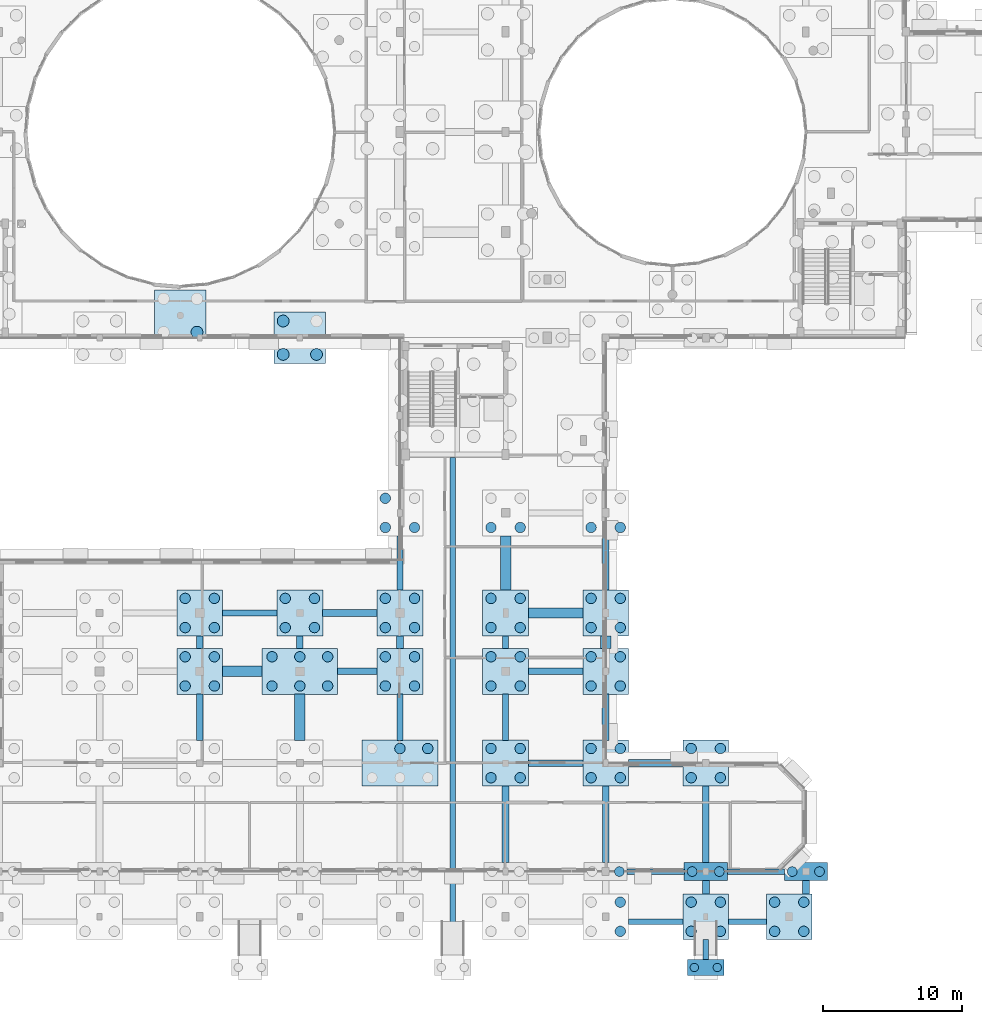
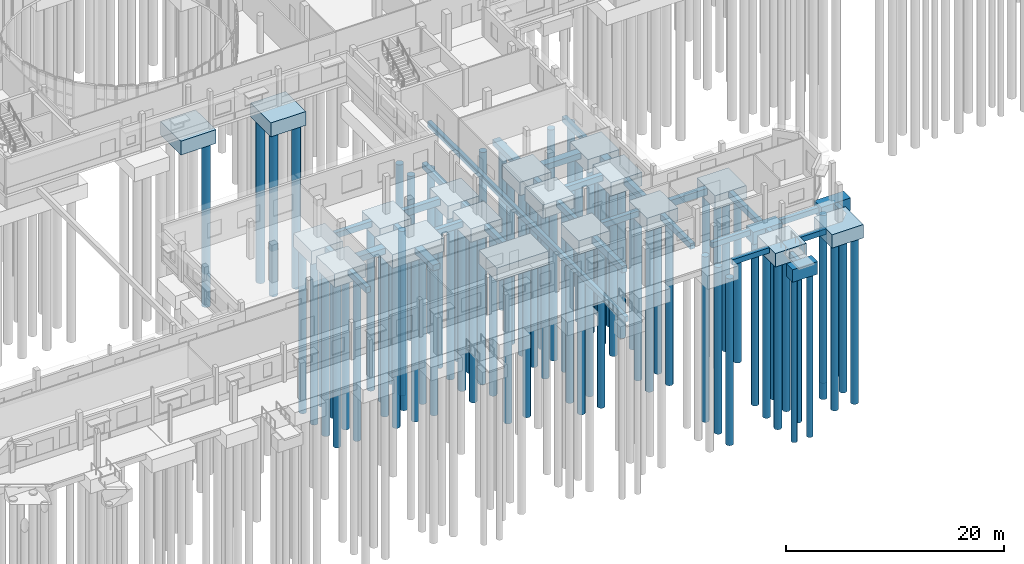
# One storey, part 4 of 93: 84 piles, 53 footings.
"""IFC4 building model written with IfcOpenShell, lengths in metres."""

from ifc_helpers import new_model, si_unit, direction, frame, origin, origin_2d, place, context, subcontext, project, spatial, rectangle, circle, extrude, material, material_profile, profile_set, type_object, element, save


model = new_model("IFC4")

# Units and contexts
model_context = context("Model", 3, precision=1e-05, world=origin(), true_north=direction((0.0, 1.0)))
body_context = subcontext(model_context, "Body", "Model", "MODEL_VIEW")
ifc_project = project(units=[si_unit("LENGTHUNIT", "METRE"), si_unit("AREAUNIT", "SQUARE_METRE"), si_unit("VOLUMEUNIT", "CUBIC_METRE"), si_unit("PLANEANGLEUNIT", "RADIAN"), si_unit("MASSUNIT", "GRAM", prefix="KILO")], contexts=[model_context])

# Site, building, storey
site_placement = place(None, origin())
site = spatial("IfcSite", under=ifc_project, at=site_placement, CompositionType="ELEMENT")
building_placement = place(site_placement, origin())
building = spatial("IfcBuilding", under=site, at=building_placement, Name="Kelanivale Promenade Academy", CompositionType="ELEMENT")
storey_placement = place(building_placement, origin())
storey = spatial("IfcBuildingStorey", under=building, at=storey_placement, Name="L00", CompositionType="ELEMENT", Elevation=0.0)

# Piles
ifc_material = material(Name="Concrete C35/45", Category="concrete")
ifc_material_profile_1 = material_profile(ifc_material, circle(Radius=0.300048828125, at=origin_2d()), Name="BORED PILE D600")
ifc_profile_set_1 = profile_set([ifc_material_profile_1], Name="Concrete C35/45")
pile_type_1 = type_object("IfcPileType", Name="BP-1 BORED PILE D600", PredefinedType="BORED", material=ifc_profile_set_1)
for number, where, z_axis, x_axis, name in (
    (1, (100.375, -3.300048828125, -1.625), (0.0, 0.0, -1.0), (1.0, 0.0, 0.0), "Bored pile FC-RMP-06-BP1-P01"),
    (2, (102.02490234375, -3.300048828125, -1.625), (0.0, 0.0, -1.0), (1.0, 0.0, 0.0), "Bored pile FC-RMP-06-BP1-P02"),
):
    element("IfcPile", number, at=place(storey_placement, frame(where, z_axis=z_axis, x_axis=x_axis)), inside=storey, type_object=pile_type_1, Name=name, PredefinedType="BORED", context=body_context, shape_type="SweptSolid", body=[
        extrude(circle(Radius=0.300048828125, at=origin_2d()), origin(), (0.0, 0.0, 1.0), 18.375),
    ])
ifc_material_profile_2 = material_profile(ifc_material, circle(Radius=0.35009765625, at=origin_2d()), Name="BORED PILE D700")
ifc_profile_set_2 = profile_set([ifc_material_profile_2], Name="Concrete C35/45")
pile_type_2 = type_object("IfcPileType", Name="BP-2 BORED PILE D700", PredefinedType="BORED", material=ifc_profile_set_2)
for number, where, z_axis, x_axis, name in (
    (3, (94.97998046875, 3.60009765625, -1.5), (0.0, 0.0, -1.0), (1.0, 0.0, 0.0), "Bored pile FC-112-BP2-P02"),
    (4, (100.219970703125, 3.60009765625, -1.5), (0.0, 0.0, -1.0), (1.0, 0.0, 0.0), "Bored pile FC-123-BP2-P01"),
    (5, (102.179931640625, 3.60009765625, -1.5), (0.0, 0.0, -1.0), (1.0, 0.0, 0.0), "Bored pile FC-123-BP2-P02"),
):
    element("IfcPile", number, at=place(storey_placement, frame(where, z_axis=z_axis, x_axis=x_axis)), inside=storey, type_object=pile_type_2, Name=name, PredefinedType="BORED", context=body_context, shape_type="SweptSolid", body=[
        extrude(circle(Radius=0.35009765625, at=origin_2d()), origin(), (0.0, 0.0, 1.0), 18.5),
    ])
for number, where, z_axis, x_axis, name in (
    (6, (107.419921875, 3.60009765625, -1.25), (0.0, 0.0, -1.0), (1.0, 0.0, 0.0), "Bored pile FC-129-BP2-P01"),
    (7, (109.3798828125, 3.60009765625, -1.25), (0.0, 0.0, -1.0), (1.0, 0.0, 0.0), "Bored pile FC-129-BP2-P02"),
):
    element("IfcPile", number, at=place(storey_placement, frame(where, z_axis=z_axis, x_axis=x_axis)), inside=storey, type_object=pile_type_2, Name=name, PredefinedType="BORED", context=body_context, shape_type="SweptSolid", body=[
        extrude(circle(Radius=0.35009765625, at=origin_2d()), origin(), (0.0, 0.0, 1.0), 18.75),
    ])
ifc_material_profile_3 = material_profile(ifc_material, circle(Radius=0.375, at=origin_2d()), Name="BORED PILE D750")
ifc_profile_set_3 = profile_set([ifc_material_profile_3], Name="Concrete C35/45")
pile_type_3 = type_object("IfcPileType", Name="BP-3 BORED PILE D750", PredefinedType="BORED", material=ifc_profile_set_3)
for number, where, z_axis, x_axis, name in (
    (8, (63.75, 16.949951171875, -1.60009765625), (0.0, 0.0, -1.0), (1.0, 0.0, 0.0), "Bored pile FC-074-BP3-P01"),
    (9, (63.75, 19.050048828125, -1.60009765625), (0.0, 0.0, -1.0), (1.0, 0.0, 0.0), "Bored pile FC-074-BP3-P02"),
    (10, (65.85009765625, 16.949951171875, -1.60009765625), (0.0, 0.0, -1.0), (1.0, 0.0, 0.0), "Bored pile FC-074-BP3-P03"),
    (11, (65.85009765625, 19.050048828125, -1.60009765625), (0.0, 0.0, -1.0), (1.0, 0.0, 0.0), "Bored pile FC-074-BP3-P04"),
    (12, (63.75, 21.14990234375, -1.60009765625), (0.0, 0.0, -1.0), (1.0, 0.0, 0.0), "Bored pile FC-075-BP3-P01"),
    (13, (63.75, 23.25, -1.60009765625), (0.0, 0.0, -1.0), (1.0, 0.0, 0.0), "Bored pile FC-075-BP3-P02"),
    (14, (65.85009765625, 21.14990234375, -1.60009765625), (0.0, 0.0, -1.0), (1.0, 0.0, 0.0), "Bored pile FC-075-BP3-P03"),
    (15, (65.85009765625, 23.25, -1.60009765625), (0.0, 0.0, -1.0), (1.0, 0.0, 0.0), "Bored pile FC-075-BP3-P04"),
    (16, (70.0, 16.949951171875, -1.60009765625), (0.0, 0.0, -1.0), (1.0, 0.0, 0.0), "Bored pile FC-081-BP3-P01"),
    (17, (72.0, 16.949951171875, -1.60009765625), (0.0, 0.0, -1.0), (1.0, 0.0, 0.0), "Bored pile FC-081-BP3-P02"),
    (18, (74.0, 16.949951171875, -1.60009765625), (0.0, 0.0, -1.0), (1.0, 0.0, 0.0), "Bored pile FC-081-BP3-P03"),
    (19, (70.0, 19.050048828125, -1.60009765625), (0.0, 0.0, -1.0), (1.0, 0.0, 0.0), "Bored pile FC-081-BP3-P04"),
    (20, (72.0, 19.050048828125, -1.60009765625), (0.0, 0.0, -1.0), (1.0, 0.0, 0.0), "Bored pile FC-081-BP3-P05"),
    (21, (74.0, 19.050048828125, -1.60009765625), (0.0, 0.0, -1.0), (1.0, 0.0, 0.0), "Bored pile FC-081-BP3-P06"),
    (22, (70.949951171875, 21.14990234375, -1.60009765625), (0.0, 0.0, -1.0), (1.0, 0.0, 0.0), "Bored pile FC-082-BP3-P01"),
    (23, (70.949951171875, 23.25, -1.60009765625), (0.0, 0.0, -1.0), (1.0, 0.0, 0.0), "Bored pile FC-082-BP3-P02"),
    (24, (73.050048828125, 21.14990234375, -1.60009765625), (0.0, 0.0, -1.0), (1.0, 0.0, 0.0), "Bored pile FC-082-BP3-P03"),
    (25, (73.050048828125, 23.25, -1.60009765625), (0.0, 0.0, -1.0), (1.0, 0.0, 0.0), "Bored pile FC-082-BP3-P04"),
    (26, (79.199951171875, 12.449951171875, -1.60009765625), (0.0, 0.0, -1.0), (1.0, 0.0, 0.0), "Bored pile FC-090-BP3-P05"),
    (27, (81.199951171875, 12.449951171875, -1.60009765625), (0.0, 0.0, -1.0), (1.0, 0.0, 0.0), "Bored pile FC-090-BP3-P06"),
    (28, (78.14990234375, 16.949951171875, -1.60009765625), (0.0, 0.0, -1.0), (1.0, 0.0, 0.0), "Bored pile FC-091-BP3-P01"),
    (29, (78.14990234375, 19.050048828125, -1.60009765625), (0.0, 0.0, -1.0), (1.0, 0.0, 0.0), "Bored pile FC-091-BP3-P02"),
    (30, (80.25, 16.949951171875, -1.60009765625), (0.0, 0.0, -1.0), (1.0, 0.0, 0.0), "Bored pile FC-091-BP3-P03"),
    (31, (80.25, 19.050048828125, -1.60009765625), (0.0, 0.0, -1.0), (1.0, 0.0, 0.0), "Bored pile FC-091-BP3-P04"),
    (32, (78.14990234375, 21.14990234375, -1.60009765625), (0.0, 0.0, -1.0), (1.0, 0.0, 0.0), "Bored pile FC-092-BP3-P01"),
    (33, (78.14990234375, 23.25, -1.60009765625), (0.0, 0.0, -1.0), (1.0, 0.0, 0.0), "Bored pile FC-092-BP3-P02"),
    (34, (80.25, 21.14990234375, -1.60009765625), (0.0, 0.0, -1.0), (1.0, 0.0, 0.0), "Bored pile FC-092-BP3-P03"),
    (35, (80.25, 23.25, -1.60009765625), (0.0, 0.0, -1.0), (1.0, 0.0, 0.0), "Bored pile FC-092-BP3-P04"),
    (36, (78.14990234375, 28.35009765625, -1.60009765625), (0.0, 0.0, -1.0), (1.0, 0.0, 0.0), "Bored pile FC-093-BP3-P01"),
    (37, (78.14990234375, 30.449951171875, -1.60009765625), (0.0, 0.0, -1.0), (1.0, 0.0, 0.0), "Bored pile FC-093-BP3-P02"),
    (38, (80.25, 28.35009765625, -1.60009765625), (0.0, 0.0, -1.0), (1.0, 0.0, 0.0), "Bored pile FC-093-BP3-P03"),
    (39, (85.75, 10.35009765625, -1.60009765625), (0.0, 0.0, -1.0), (1.0, 0.0, 0.0), "Bored pile FC-100-BP3-P01"),
    (40, (85.75, 12.449951171875, -1.60009765625), (0.0, 0.0, -1.0), (1.0, 0.0, 0.0), "Bored pile FC-100-BP3-P02"),
    (41, (87.85009765625, 10.35009765625, -1.60009765625), (0.0, 0.0, -1.0), (1.0, 0.0, 0.0), "Bored pile FC-100-BP3-P03"),
    (42, (87.85009765625, 12.449951171875, -1.60009765625), (0.0, 0.0, -1.0), (1.0, 0.0, 0.0), "Bored pile FC-100-BP3-P04"),
    (43, (85.75, 16.949951171875, -1.60009765625), (0.0, 0.0, -1.0), (1.0, 0.0, 0.0), "Bored pile FC-101-BP3-P01"),
    (44, (85.75, 19.050048828125, -1.60009765625), (0.0, 0.0, -1.0), (1.0, 0.0, 0.0), "Bored pile FC-101-BP3-P02"),
    (45, (87.85009765625, 16.949951171875, -1.60009765625), (0.0, 0.0, -1.0), (1.0, 0.0, 0.0), "Bored pile FC-101-BP3-P03"),
    (46, (87.85009765625, 19.050048828125, -1.60009765625), (0.0, 0.0, -1.0), (1.0, 0.0, 0.0), "Bored pile FC-101-BP3-P04"),
    (47, (85.75, 21.14990234375, -1.60009765625), (0.0, 0.0, -1.0), (1.0, 0.0, 0.0), "Bored pile FC-102-BP3-P01"),
    (48, (85.75, 23.25, -1.60009765625), (0.0, 0.0, -1.0), (1.0, 0.0, 0.0), "Bored pile FC-102-BP3-P02"),
    (49, (87.85009765625, 21.14990234375, -1.60009765625), (0.0, 0.0, -1.0), (1.0, 0.0, 0.0), "Bored pile FC-102-BP3-P03"),
    (50, (87.85009765625, 23.25, -1.60009765625), (0.0, 0.0, -1.0), (1.0, 0.0, 0.0), "Bored pile FC-102-BP3-P04"),
    (51, (85.75, 28.35009765625, -1.60009765625), (0.0, 0.0, -1.0), (1.0, 0.0, 0.0), "Bored pile FC-103-BP3-P01"),
    (52, (87.85009765625, 28.35009765625, -1.60009765625), (0.0, 0.0, -1.0), (1.0, 0.0, 0.0), "Bored pile FC-103-BP3-P03"),
):
    element("IfcPile", number, at=place(storey_placement, frame(where, z_axis=z_axis, x_axis=x_axis)), inside=storey, type_object=pile_type_3, Name=name, PredefinedType="BORED", context=body_context, shape_type="SweptSolid", body=[
        extrude(circle(Radius=0.375, at=origin_2d()), origin(), (0.0, 0.0, 1.0), 18.39990234375),
    ])
for number, where, z_axis, x_axis, name in (
    (53, (95.050048828125, -0.699951171875, -1.35009765625), (0.0, 0.0, -1.0), (1.0, 0.0, 0.0), "Bored pile FC-111-BP3-P03"),
    (54, (95.050048828125, 1.39990234375, -1.35009765625), (0.0, 0.0, -1.0), (1.0, 0.0, 0.0), "Bored pile FC-111-BP3-P04"),
):
    element("IfcPile", number, at=place(storey_placement, frame(where, z_axis=z_axis, x_axis=x_axis)), inside=storey, type_object=pile_type_3, Name=name, PredefinedType="BORED", context=body_context, shape_type="SweptSolid", body=[
        extrude(circle(Radius=0.375, at=origin_2d()), origin(), (0.0, 0.0, 1.0), 18.64990234375),
    ])
for number, where, z_axis, x_axis, name in (
    (55, (92.949951171875, 10.35009765625, -1.60009765625), (0.0, 0.0, -1.0), (1.0, 0.0, 0.0), "Bored pile FC-113-BP3-P01"),
    (56, (92.949951171875, 12.449951171875, -1.60009765625), (0.0, 0.0, -1.0), (1.0, 0.0, 0.0), "Bored pile FC-113-BP3-P02"),
    (57, (95.050048828125, 10.35009765625, -1.60009765625), (0.0, 0.0, -1.0), (1.0, 0.0, 0.0), "Bored pile FC-113-BP3-P03"),
    (58, (95.050048828125, 12.449951171875, -1.60009765625), (0.0, 0.0, -1.0), (1.0, 0.0, 0.0), "Bored pile FC-113-BP3-P04"),
    (59, (92.949951171875, 16.949951171875, -1.60009765625), (0.0, 0.0, -1.0), (1.0, 0.0, 0.0), "Bored pile FC-114-BP3-P01"),
    (60, (92.949951171875, 19.050048828125, -1.60009765625), (0.0, 0.0, -1.0), (1.0, 0.0, 0.0), "Bored pile FC-114-BP3-P02"),
    (61, (95.050048828125, 16.949951171875, -1.60009765625), (0.0, 0.0, -1.0), (1.0, 0.0, 0.0), "Bored pile FC-114-BP3-P03"),
    (62, (95.050048828125, 19.050048828125, -1.60009765625), (0.0, 0.0, -1.0), (1.0, 0.0, 0.0), "Bored pile FC-114-BP3-P04"),
    (63, (92.949951171875, 21.14990234375, -1.60009765625), (0.0, 0.0, -1.0), (1.0, 0.0, 0.0), "Bored pile FC-115-BP3-P01"),
    (64, (92.949951171875, 23.25, -1.60009765625), (0.0, 0.0, -1.0), (1.0, 0.0, 0.0), "Bored pile FC-115-BP3-P02"),
    (65, (95.050048828125, 21.14990234375, -1.60009765625), (0.0, 0.0, -1.0), (1.0, 0.0, 0.0), "Bored pile FC-115-BP3-P03"),
    (66, (95.050048828125, 23.25, -1.60009765625), (0.0, 0.0, -1.0), (1.0, 0.0, 0.0), "Bored pile FC-115-BP3-P04"),
    (67, (92.949951171875, 28.35009765625, -1.60009765625), (0.0, 0.0, -1.0), (1.0, 0.0, 0.0), "Bored pile FC-116-BP3-P01"),
    (68, (95.050048828125, 28.35009765625, -1.60009765625), (0.0, 0.0, -1.0), (1.0, 0.0, 0.0), "Bored pile FC-116-BP3-P03"),
):
    element("IfcPile", number, at=place(storey_placement, frame(where, z_axis=z_axis, x_axis=x_axis)), inside=storey, type_object=pile_type_3, Name=name, PredefinedType="BORED", context=body_context, shape_type="SweptSolid", body=[
        extrude(circle(Radius=0.375, at=origin_2d()), origin(), (0.0, 0.0, 1.0), 18.39990234375),
    ])
for number, where, z_axis, x_axis, name in (
    (69, (100.14990234375, -0.699951171875, -1.35009765625), (0.0, 0.0, -1.0), (1.0, 0.0, 0.0), "Bored pile FC-122-BP3-P01"),
    (70, (100.14990234375, 1.39990234375, -1.35009765625), (0.0, 0.0, -1.0), (1.0, 0.0, 0.0), "Bored pile FC-122-BP3-P02"),
    (71, (102.25, -0.699951171875, -1.35009765625), (0.0, 0.0, -1.0), (1.0, 0.0, 0.0), "Bored pile FC-122-BP3-P03"),
    (72, (102.25, 1.39990234375, -1.35009765625), (0.0, 0.0, -1.0), (1.0, 0.0, 0.0), "Bored pile FC-122-BP3-P04"),
):
    element("IfcPile", number, at=place(storey_placement, frame(where, z_axis=z_axis, x_axis=x_axis)), inside=storey, type_object=pile_type_3, Name=name, PredefinedType="BORED", context=body_context, shape_type="SweptSolid", body=[
        extrude(circle(Radius=0.375, at=origin_2d()), origin(), (0.0, 0.0, 1.0), 18.64990234375),
    ])
for number, where, z_axis, x_axis, name in (
    (73, (100.14990234375, 10.35009765625, -1.60009765625), (0.0, 0.0, -1.0), (1.0, 0.0, 0.0), "Bored pile FC-124-BP3-P01"),
    (74, (100.14990234375, 12.449951171875, -1.60009765625), (0.0, 0.0, -1.0), (1.0, 0.0, 0.0), "Bored pile FC-124-BP3-P02"),
    (75, (102.25, 10.35009765625, -1.60009765625), (0.0, 0.0, -1.0), (1.0, 0.0, 0.0), "Bored pile FC-124-BP3-P03"),
    (76, (102.25, 12.449951171875, -1.60009765625), (0.0, 0.0, -1.0), (1.0, 0.0, 0.0), "Bored pile FC-124-BP3-P04"),
):
    element("IfcPile", number, at=place(storey_placement, frame(where, z_axis=z_axis, x_axis=x_axis)), inside=storey, type_object=pile_type_3, Name=name, PredefinedType="BORED", context=body_context, shape_type="SweptSolid", body=[
        extrude(circle(Radius=0.375, at=origin_2d()), origin(), (0.0, 0.0, 1.0), 18.39990234375),
    ])
for number, where, z_axis, x_axis, name in (
    (77, (106.14990234375, -0.699951171875, -1.35009765625), (0.0, 0.0, -1.0), (1.0, 0.0, 0.0), "Bored pile FC-128-BP3-P01"),
    (78, (106.14990234375, 1.39990234375, -1.35009765625), (0.0, 0.0, -1.0), (1.0, 0.0, 0.0), "Bored pile FC-128-BP3-P02"),
    (79, (108.25, -0.699951171875, -1.35009765625), (0.0, 0.0, -1.0), (1.0, 0.0, 0.0), "Bored pile FC-128-BP3-P03"),
    (80, (108.25, 1.39990234375, -1.35009765625), (0.0, 0.0, -1.0), (1.0, 0.0, 0.0), "Bored pile FC-128-BP3-P04"),
):
    element("IfcPile", number, at=place(storey_placement, frame(where, z_axis=z_axis, x_axis=x_axis)), inside=storey, type_object=pile_type_3, Name=name, PredefinedType="BORED", context=body_context, shape_type="SweptSolid", body=[
        extrude(circle(Radius=0.375, at=origin_2d()), origin(), (0.0, 0.0, 1.0), 18.64990234375),
    ])
ifc_material_profile_4 = material_profile(ifc_material, circle(Radius=0.425048828125, at=origin_2d()), Name="BORED PILE D850")
ifc_profile_set_4 = profile_set([ifc_material_profile_4], Name="Concrete C35/45")
pile_type_4 = type_object("IfcPileType", Name="BP-4 BORED PILE D850", PredefinedType="BORED", material=ifc_profile_set_4)
for number, where, z_axis, x_axis, name in (
    (81, (64.60009765625, 42.39990234375, -1.64990234375), (0.0, 0.0, -1.0), (1.0, 0.0, 0.0), "Bored pile FC-069-BP4-P03"),
    (82, (70.800048828125, 40.800048828125, -1.64990234375), (0.0, 0.0, -1.0), (1.0, 0.0, 0.0), "Bored pile FC-083-BP4-P01"),
    (83, (70.800048828125, 43.199951171875, -1.64990234375), (0.0, 0.0, -1.0), (1.0, 0.0, 0.0), "Bored pile FC-083-BP4-P02"),
    (84, (73.199951171875, 40.800048828125, -1.64990234375), (0.0, 0.0, -1.0), (1.0, 0.0, 0.0), "Bored pile FC-083-BP4-P03"),
):
    element("IfcPile", number, at=place(storey_placement, frame(where, z_axis=z_axis, x_axis=x_axis)), inside=storey, type_object=pile_type_4, Name=name, PredefinedType="BORED", context=body_context, shape_type="SweptSolid", body=[
        extrude(circle(Radius=0.425048828125, at=origin_2d()), origin(), (0.0, 0.0, 1.0), 18.35009765625),
    ])

# Footings
footing_type_1 = type_object("IfcFootingType", Name="GB-01 450x650", PredefinedType="FOOTING_BEAM", material=ifc_material)
footing_1_placement = place(storey_placement, frame((90.39990234375, 11.39990234375, -0.89990234375), z_axis=(0.0, 0.0, 1.0), x_axis=(1.0, 0.0, 0.0)))
element("IfcFooting", 85, at=footing_1_placement, inside=storey, type_object=footing_type_1, Name="Ground beam GB-059", PredefinedType="FOOTING_BEAM", context=body_context, shape_type="SweptSolid", body=[
    extrude(rectangle(XDim=3.909912109375, YDim=0.449951171875, at=origin_2d()), origin(), (0.0, 0.0, 1.0), 0.64990234375),
])
footing_2_placement = place(storey_placement, frame((76.136962890625, 18.0, -0.89990234375), z_axis=(0.0, 0.0, 1.0), x_axis=(1.0, 0.0, 0.0)))
element("IfcFooting", 86, at=footing_2_placement, inside=storey, type_object=footing_type_1, Name="Ground beam GB-064", PredefinedType="FOOTING_BEAM", context=body_context, shape_type="SweptSolid", body=[
    extrude(rectangle(XDim=2.8349609375, YDim=0.449951171875, at=origin_2d()), origin(), (0.0, 0.0, 1.0), 0.64990234375),
])
for number, where, z_axis, x_axis, name in (
    (87, (90.39990234375, 18.0, -0.89990234375), (0.0, 0.0, 1.0), (1.0, 0.0, 0.0), "Ground beam GB-065"),
    (88, (68.39990234375, 22.199951171875, -0.89990234375), (0.0, 0.0, 1.0), (1.0, 0.0, 0.0), "Ground beam GB-068"),
):
    element("IfcFooting", number, at=place(storey_placement, frame(where, z_axis=z_axis, x_axis=x_axis)), inside=storey, type_object=footing_type_1, Name=name, PredefinedType="FOOTING_BEAM", context=body_context, shape_type="SweptSolid", body=[
        extrude(rectangle(XDim=3.909912109375, YDim=0.449951171875, at=origin_2d()), origin(), (0.0, 0.0, 1.0), 0.64990234375),
    ])
footing_3_placement = place(storey_placement, frame((64.800048828125, 14.699951171875, -0.89990234375), z_axis=(0.0, 0.0, 1.0), x_axis=(0.0, 1.0, 0.0)))
element("IfcFooting", 89, at=footing_3_placement, inside=storey, type_object=footing_type_1, Name="Ground beam GB-148", PredefinedType="FOOTING_BEAM", context=body_context, shape_type="SweptSolid", body=[
    extrude(rectangle(XDim=3.31005859375, YDim=0.449951171875, at=origin_2d()), origin(), (0.0, 0.0, 1.0), 0.64990234375),
])
for number, where, z_axis, x_axis, name in (
    (90, (64.800048828125, 20.10009765625, -0.89990234375), (0.0, 0.0, 1.0), (0.0, 1.0, 0.0), "Ground beam GB-149"),
    (91, (72.0, 20.10009765625, -0.89990234375), (0.0, 0.0, 1.0), (0.0, 1.0, 0.0), "Ground beam GB-155"),
):
    element("IfcFooting", number, at=place(storey_placement, frame(where, z_axis=z_axis, x_axis=x_axis)), inside=storey, type_object=footing_type_1, Name=name, PredefinedType="FOOTING_BEAM", context=body_context, shape_type="SweptSolid", body=[
        extrude(rectangle(XDim=0.909912109375, YDim=0.449951171875, at=origin_2d()), origin(), (0.0, 0.0, 1.0), 0.64990234375),
    ])
footing_4_placement = place(storey_placement, frame((79.199951171875, 14.699951171875, -0.89990234375), z_axis=(0.0, 0.0, 1.0), x_axis=(0.0, 1.0, 0.0)))
element("IfcFooting", 92, at=footing_4_placement, inside=storey, type_object=footing_type_1, Name="Ground beam GB-158", PredefinedType="FOOTING_BEAM", context=body_context, shape_type="SweptSolid", body=[
    extrude(rectangle(XDim=3.31005859375, YDim=0.449951171875, at=origin_2d()), origin(), (0.0, 0.0, 1.0), 0.64990234375),
])
footing_5_placement = place(storey_placement, frame((79.199951171875, 25.800048828125, -0.89990234375), z_axis=(0.0, 0.0, 1.0), x_axis=(0.0, 1.0, 0.0)))
element("IfcFooting", 93, at=footing_5_placement, inside=storey, type_object=footing_type_1, Name="Ground beam GB-160", PredefinedType="FOOTING_BEAM", context=body_context, shape_type="SweptSolid", body=[
    extrude(rectangle(XDim=3.909912109375, YDim=0.449951171875, at=origin_2d()), origin(), (0.0, 0.0, 1.0), 0.64990234375),
])
footing_6_placement = place(storey_placement, frame((86.800048828125, 14.699951171875, -0.89990234375), z_axis=(0.0, 0.0, 1.0), x_axis=(0.0, 1.0, 0.0)))
element("IfcFooting", 94, at=footing_6_placement, inside=storey, type_object=footing_type_1, Name="Ground beam GB-166", PredefinedType="FOOTING_BEAM", context=body_context, shape_type="SweptSolid", body=[
    extrude(rectangle(XDim=3.31005859375, YDim=0.449951171875, at=origin_2d()), origin(), (0.0, 0.0, 1.0), 0.64990234375),
])
footing_7_placement = place(storey_placement, frame((86.800048828125, 20.10009765625, -0.89990234375), z_axis=(0.0, 0.0, 1.0), x_axis=(0.0, 1.0, 0.0)))
element("IfcFooting", 95, at=footing_7_placement, inside=storey, type_object=footing_type_1, Name="Ground beam GB-167", PredefinedType="FOOTING_BEAM", context=body_context, shape_type="SweptSolid", body=[
    extrude(rectangle(XDim=0.909912109375, YDim=0.449951171875, at=origin_2d()), origin(), (0.0, 0.0, 1.0), 0.64990234375),
])
footing_8_placement = place(storey_placement, frame((94.0, 7.0, -0.89990234375), z_axis=(0.0, 0.0, 1.0), x_axis=(0.0, 1.0, 0.0)))
element("IfcFooting", 96, at=footing_8_placement, inside=storey, type_object=footing_type_1, Name="Ground beam GB-173", PredefinedType="FOOTING_BEAM", context=body_context, shape_type="SweptSolid", body=[
    extrude(rectangle(XDim=5.510009765625, YDim=0.449951171875, at=origin_2d()), origin(), (0.0, 0.0, 1.0), 0.64990234375),
])
footing_9_placement = place(storey_placement, frame((94.0, 25.800048828125, -0.89990234375), z_axis=(0.0, 0.0, 1.0), x_axis=(0.0, 1.0, 0.0)))
element("IfcFooting", 97, at=footing_9_placement, inside=storey, type_object=footing_type_1, Name="Ground beam GB-176", PredefinedType="FOOTING_BEAM", context=body_context, shape_type="SweptSolid", body=[
    extrude(rectangle(XDim=3.909912109375, YDim=0.449951171875, at=origin_2d()), origin(), (0.0, 0.0, 1.0), 0.64990234375),
])
footing_10_placement = place(storey_placement, frame((101.199951171875, 7.0, -0.89990234375), z_axis=(0.0, 0.0, 1.0), x_axis=(0.0, 1.0, 0.0)))
element("IfcFooting", 98, at=footing_10_placement, inside=storey, type_object=footing_type_1, Name="Ground beam GB-178", PredefinedType="FOOTING_BEAM", context=body_context, shape_type="SweptSolid", body=[
    extrude(rectangle(XDim=5.510009765625, YDim=0.449951171875, at=origin_2d()), origin(), (0.0, 0.0, 1.0), 0.64990234375),
])
footing_type_2 = type_object("IfcFootingType", Name="GB-02 500x750", PredefinedType="FOOTING_BEAM", material=ifc_material)
for number, where, z_axis, x_axis, name in (
    (99, (97.60009765625, 11.39990234375, -1.0), (0.0, 0.0, 1.0), (1.0, 0.0, 0.0), "Ground beam GB-060"),
    (100, (75.60009765625, 22.199951171875, -1.0), (0.0, 0.0, 1.0), (1.0, 0.0, 0.0), "Ground beam GB-069"),
):
    element("IfcFooting", number, at=place(storey_placement, frame(where, z_axis=z_axis, x_axis=x_axis)), inside=storey, type_object=footing_type_2, Name=name, PredefinedType="FOOTING_BEAM", context=body_context, shape_type="SweptSolid", body=[
        extrude(rectangle(XDim=3.909912109375, YDim=0.5, at=origin_2d()), origin(), (0.0, 0.0, 1.0), 0.75),
    ])
footing_11_placement = place(storey_placement, frame((79.199951171875, 20.10009765625, -1.0), z_axis=(0.0, 0.0, 1.0), x_axis=(0.0, 1.0, 0.0)))
element("IfcFooting", 101, at=footing_11_placement, inside=storey, type_object=footing_type_2, Name="Ground beam GB-159", PredefinedType="FOOTING_BEAM", context=body_context, shape_type="SweptSolid", body=[
    extrude(rectangle(XDim=0.909912109375, YDim=0.5, at=origin_2d()), origin(), (0.0, 0.0, 1.0), 0.75),
])
footing_12_placement = place(storey_placement, frame((86.800048828125, 7.0, -1.0), z_axis=(0.0, 0.0, 1.0), x_axis=(0.0, 1.0, 0.0)))
element("IfcFooting", 102, at=footing_12_placement, inside=storey, type_object=footing_type_2, Name="Ground beam GB-165", PredefinedType="FOOTING_BEAM", context=body_context, shape_type="SweptSolid", body=[
    extrude(rectangle(XDim=5.510009765625, YDim=0.5, at=origin_2d()), origin(), (0.0, 0.0, 1.0), 0.75),
])
footing_13_placement = place(storey_placement, frame((94.0, 14.699951171875, -1.0), z_axis=(0.0, 0.0, 1.0), x_axis=(0.0, 1.0, 0.0)))
element("IfcFooting", 103, at=footing_13_placement, inside=storey, type_object=footing_type_2, Name="Ground beam GB-174", PredefinedType="FOOTING_BEAM", context=body_context, shape_type="SweptSolid", body=[
    extrude(rectangle(XDim=3.31005859375, YDim=0.5, at=origin_2d()), origin(), (0.0, 0.0, 1.0), 0.75),
])
for number, where, z_axis, x_axis, name in (
    (104, (101.199951171875, 2.47509765625, -1.0), (0.0, 0.0, 1.0), (0.0, 1.0, 0.0), "Ground beam GB-177"),
    (105, (108.39990234375, 2.47509765625, -0.75), (0.0, 0.0, 1.0), (0.0, 1.0, 0.0), "Ground beam GB-180"),
):
    element("IfcFooting", number, at=place(storey_placement, frame(where, z_axis=z_axis, x_axis=x_axis)), inside=storey, type_object=footing_type_2, Name=name, PredefinedType="FOOTING_BEAM", context=body_context, shape_type="SweptSolid", body=[
        extrude(rectangle(XDim=0.9599609375, YDim=0.5, at=origin_2d()), origin(), (0.0, 0.0, 1.0), 0.75),
    ])
footing_type_3 = type_object("IfcFootingType", Name="GB-03 400x600", PredefinedType="FOOTING_BEAM", material=ifc_material)
footing_14_placement = place(storey_placement, frame((83.0, 15.3369140625, -0.97509765625), z_axis=(0.0, 0.0, 1.0), x_axis=(0.0, 1.0, 0.0)))
element("IfcFooting", 106, at=footing_14_placement, inside=storey, type_object=footing_type_3, Name="Ramp approach tie beam GB-026", PredefinedType="FOOTING_BEAM", context=body_context, shape_type="SweptSolid", body=[
    extrude(rectangle(XDim=36.125, YDim=0.39990234375, at=origin_2d()), origin(), (0.0, 0.0, 1.0), 0.60009765625),
])
footing_15_placement = place(storey_placement, frame((101.199951171875, -2.011962890625, -0.97509765625), z_axis=(0.0, 0.0, 1.0), x_axis=(0.0, 1.0, 0.0)))
element("IfcFooting", 107, at=footing_15_placement, inside=storey, type_object=footing_type_3, Name="Ramp approach tie beam GB-027", PredefinedType="FOOTING_BEAM", context=body_context, shape_type="SweptSolid", body=[
    extrude(rectangle(XDim=1.425048828125, YDim=0.39990234375, at=origin_2d()), origin(), (0.0, 0.0, 1.0), 0.60009765625),
])
footing_16_placement = place(storey_placement, frame((97.60009765625, 0.0, -0.60009765625), z_axis=(0.0, 0.0, 1.0), x_axis=(1.0, 0.0, 0.0)))
element("IfcFooting", 108, at=footing_16_placement, inside=storey, type_object=footing_type_3, Name="Ground beam GB-037", PredefinedType="FOOTING_BEAM", context=body_context, shape_type="SweptSolid", body=[
    extrude(rectangle(XDim=3.909912109375, YDim=0.39990234375, at=origin_2d()), origin(), (0.0, 0.0, 1.0), 0.60009765625),
])
footing_17_placement = place(storey_placement, frame((104.199951171875, 0.0, -0.60009765625), z_axis=(0.0, 0.0, 1.0), x_axis=(1.0, 0.0, 0.0)))
element("IfcFooting", 109, at=footing_17_placement, inside=storey, type_object=footing_type_3, Name="Ground beam GB-038", PredefinedType="FOOTING_BEAM", context=body_context, shape_type="SweptSolid", body=[
    extrude(rectangle(XDim=2.7099609375, YDim=0.39990234375, at=origin_2d()), origin(), (0.0, 0.0, 1.0), 0.60009765625),
])
for number, where, z_axis, x_axis, name in (
    (110, (97.60009765625, 3.60009765625, -0.85009765625), (0.0, 0.0, 1.0), (1.0, 0.0, 0.0), "Ground beam GB-049"),
    (111, (104.800048828125, 3.60009765625, -0.85009765625), (0.0, 0.0, 1.0), (1.0, 0.0, 0.0), "Ground beam GB-050"),
):
    element("IfcFooting", number, at=place(storey_placement, frame(where, z_axis=z_axis, x_axis=x_axis)), inside=storey, type_object=footing_type_3, Name=name, PredefinedType="FOOTING_BEAM", context=body_context, shape_type="SweptSolid", body=[
        extrude(rectangle(XDim=4.110107421875, YDim=0.39990234375, at=origin_2d()), origin(), (0.0, 0.0, 1.0), 0.60009765625),
    ])
footing_type_4 = type_object("IfcFootingType", Name="PC-01 Pile Cap 2650x1150x1400", PredefinedType="PILE_CAP", material=ifc_material)
footing_18_placement = place(storey_placement, frame((101.199951171875, -3.300048828125, -1.77490234375), z_axis=(0.0, 0.0, 1.0), x_axis=(1.0, 0.0, 0.0)))
element("IfcFooting", 112, at=footing_18_placement, inside=storey, type_object=footing_type_4, Name="Pile cap FC-RMP-06", PredefinedType="PILE_CAP", context=body_context, shape_type="SweptSolid", body=[
    extrude(rectangle(XDim=2.64990234375, YDim=1.14990234375, at=origin_2d()), origin(), (0.0, 0.0, 1.0), 1.39990234375),
])
footing_type_5 = type_object("IfcFootingType", Name="PC-03 Pile Cap 3100x1300x1400", PredefinedType="PILE_CAP", material=ifc_material)
for number, where, z_axis, x_axis, name in (
    (113, (101.199951171875, 3.60009765625, -1.64990234375), (0.0, 0.0, 1.0), (1.0, 0.0, 0.0), "Pile cap FC-123"),
    (114, (108.39990234375, 3.60009765625, -1.39990234375), (0.0, 0.0, 1.0), (1.0, 0.0, 0.0), "Pile cap FC-129"),
):
    element("IfcFooting", number, at=place(storey_placement, frame(where, z_axis=z_axis, x_axis=x_axis)), inside=storey, type_object=footing_type_5, Name=name, PredefinedType="PILE_CAP", context=body_context, shape_type="SweptSolid", body=[
        extrude(rectangle(XDim=3.10009765625, YDim=1.300048828125, at=origin_2d()), origin(), (0.0, 0.0, 1.0), 1.39990234375),
    ])
footing_type_6 = type_object("IfcFootingType", Name="PC-05 Pile Cap 3300x3300x1500", PredefinedType="PILE_CAP", material=ifc_material)
for number, where, z_axis, x_axis, name in (
    (115, (64.800048828125, 18.0, -1.75), (0.0, 0.0, 1.0), (1.0, 0.0, 0.0), "Pile cap FC-074"),
    (116, (64.800048828125, 22.199951171875, -1.75), (0.0, 0.0, 1.0), (1.0, 0.0, 0.0), "Pile cap FC-075"),
    (117, (72.0, 22.199951171875, -1.75), (0.0, 0.0, 1.0), (1.0, 0.0, 0.0), "Pile cap FC-082"),
    (118, (79.199951171875, 18.0, -1.75), (0.0, 0.0, 1.0), (1.0, 0.0, 0.0), "Pile cap FC-091"),
    (119, (79.199951171875, 22.199951171875, -1.75), (0.0, 0.0, 1.0), (1.0, 0.0, 0.0), "Pile cap FC-092"),
    (120, (86.800048828125, 11.39990234375, -1.75), (0.0, 0.0, 1.0), (1.0, 0.0, 0.0), "Pile cap FC-100"),
    (121, (86.800048828125, 18.0, -1.75), (0.0, 0.0, 1.0), (1.0, 0.0, 0.0), "Pile cap FC-101"),
    (122, (86.800048828125, 22.199951171875, -1.75), (0.0, 0.0, 1.0), (1.0, 0.0, 0.0), "Pile cap FC-102"),
    (123, (94.0, 11.39990234375, -1.75), (0.0, 0.0, 1.0), (1.0, 0.0, 0.0), "Pile cap FC-113"),
    (124, (94.0, 18.0, -1.75), (0.0, 0.0, 1.0), (1.0, 0.0, 0.0), "Pile cap FC-114"),
    (125, (94.0, 22.199951171875, -1.75), (0.0, 0.0, 1.0), (1.0, 0.0, 0.0), "Pile cap FC-115"),
    (126, (101.199951171875, 0.35009765625, -1.5), (0.0, 0.0, 1.0), (1.0, 0.0, 0.0), "Pile cap FC-122"),
    (127, (101.199951171875, 11.39990234375, -1.75), (0.0, 0.0, 1.0), (1.0, 0.0, 0.0), "Pile cap FC-124"),
    (128, (107.199951171875, 0.35009765625, -1.5), (0.0, 0.0, 1.0), (1.0, 0.0, 0.0), "Pile cap FC-128"),
):
    element("IfcFooting", number, at=place(storey_placement, frame(where, z_axis=z_axis, x_axis=x_axis)), inside=storey, type_object=footing_type_6, Name=name, PredefinedType="PILE_CAP", context=body_context, shape_type="SweptSolid", body=[
        extrude(rectangle(XDim=3.300048828125, YDim=3.300048828125, at=origin_2d()), origin(), (0.0, 0.0, 1.0), 1.5),
    ])
footing_type_7 = type_object("IfcFootingType", Name="PC-06 Pile Cap 5450x3300x1500", PredefinedType="PILE_CAP", material=ifc_material)
for number, where, z_axis, x_axis, name in (
    (129, (72.0, 18.0, -1.75), (0.0, 0.0, 1.0), (1.0, 0.0, 0.0), "Pile cap FC-081"),
    (130, (79.199951171875, 11.39990234375, -1.75), (0.0, 0.0, 1.0), (1.0, 0.0, 0.0), "Pile cap FC-090"),
):
    element("IfcFooting", number, at=place(storey_placement, frame(where, z_axis=z_axis, x_axis=x_axis)), inside=storey, type_object=footing_type_7, Name=name, PredefinedType="PILE_CAP", context=body_context, shape_type="SweptSolid", body=[
        extrude(rectangle(XDim=5.449951171875, YDim=3.300048828125, at=origin_2d()), origin(), (0.0, 0.0, 1.0), 1.5),
    ])
footing_type_8 = type_object("IfcFootingType", Name="PC-07 Pile Cap 3700x3700x1550", PredefinedType="PILE_CAP", material=ifc_material)
for number, where, z_axis, x_axis, name in (
    (131, (63.39990234375, 43.60009765625, -1.7998046875), (0.0, 0.0, 1.0), (1.0, 0.0, 0.0), "Pile cap FC-069"),
    (132, (72.0, 42.0, -1.7998046875), (0.0, 0.0, 1.0), (1.0, 0.0, 0.0), "Pile cap FC-083"),
):
    element("IfcFooting", number, at=place(storey_placement, frame(where, z_axis=z_axis, x_axis=x_axis)), inside=storey, type_object=footing_type_8, Name=name, PredefinedType="PILE_CAP", context=body_context, shape_type="SweptSolid", body=[
        extrude(rectangle(XDim=3.699951171875, YDim=3.699951171875, at=origin_2d()), origin(), (0.0, 0.0, 1.0), 1.550048828125),
    ])
footing_type_9 = type_object("IfcFootingType", Name="SF-01 750x650", PredefinedType="STRIP_FOOTING", material=ifc_material)
footing_19_placement = place(storey_placement, frame((67.863037109375, 18.0, -0.89990234375), z_axis=(0.0, 0.0, 1.0), x_axis=(1.0, 0.0, 0.0)))
element("IfcFooting", 133, at=footing_19_placement, inside=storey, type_object=footing_type_9, Name="Ground beam GB-063", PredefinedType="STRIP_FOOTING", context=body_context, shape_type="SweptSolid", body=[
    extrude(rectangle(XDim=2.8349609375, YDim=0.75, at=origin_2d()), origin(), (0.0, 0.0, 1.0), 0.64990234375),
])
footing_20_placement = place(storey_placement, frame((90.39990234375, 22.199951171875, -0.89990234375), z_axis=(0.0, 0.0, 1.0), x_axis=(1.0, 0.0, 0.0)))
element("IfcFooting", 134, at=footing_20_placement, inside=storey, type_object=footing_type_9, Name="Ground beam GB-070", PredefinedType="STRIP_FOOTING", context=body_context, shape_type="SweptSolid", body=[
    extrude(rectangle(XDim=3.909912109375, YDim=0.75, at=origin_2d()), origin(), (0.0, 0.0, 1.0), 0.64990234375),
])
footing_21_placement = place(storey_placement, frame((72.0, 14.699951171875, -0.89990234375), z_axis=(0.0, 0.0, 1.0), x_axis=(0.0, 1.0, 0.0)))
element("IfcFooting", 135, at=footing_21_placement, inside=storey, type_object=footing_type_9, Name="Ground beam GB-154", PredefinedType="STRIP_FOOTING", context=body_context, shape_type="SweptSolid", body=[
    extrude(rectangle(XDim=3.31005859375, YDim=0.75, at=origin_2d()), origin(), (0.0, 0.0, 1.0), 0.64990234375),
])
footing_22_placement = place(storey_placement, frame((86.800048828125, 25.800048828125, -0.89990234375), z_axis=(0.0, 0.0, 1.0), x_axis=(0.0, 1.0, 0.0)))
element("IfcFooting", 136, at=footing_22_placement, inside=storey, type_object=footing_type_9, Name="Ground beam GB-168", PredefinedType="STRIP_FOOTING", context=body_context, shape_type="SweptSolid", body=[
    extrude(rectangle(XDim=3.909912109375, YDim=0.75, at=origin_2d()), origin(), (0.0, 0.0, 1.0), 0.64990234375),
])
footing_23_placement = place(storey_placement, frame((94.0, 20.10009765625, -0.89990234375), z_axis=(0.0, 0.0, 1.0), x_axis=(0.0, 1.0, 0.0)))
element("IfcFooting", 137, at=footing_23_placement, inside=storey, type_object=footing_type_9, Name="Ground beam GB-175", PredefinedType="STRIP_FOOTING", context=body_context, shape_type="SweptSolid", body=[
    extrude(rectangle(XDim=0.909912109375, YDim=0.75, at=origin_2d()), origin(), (0.0, 0.0, 1.0), 0.64990234375),
])

save(model, "model.ifc")
